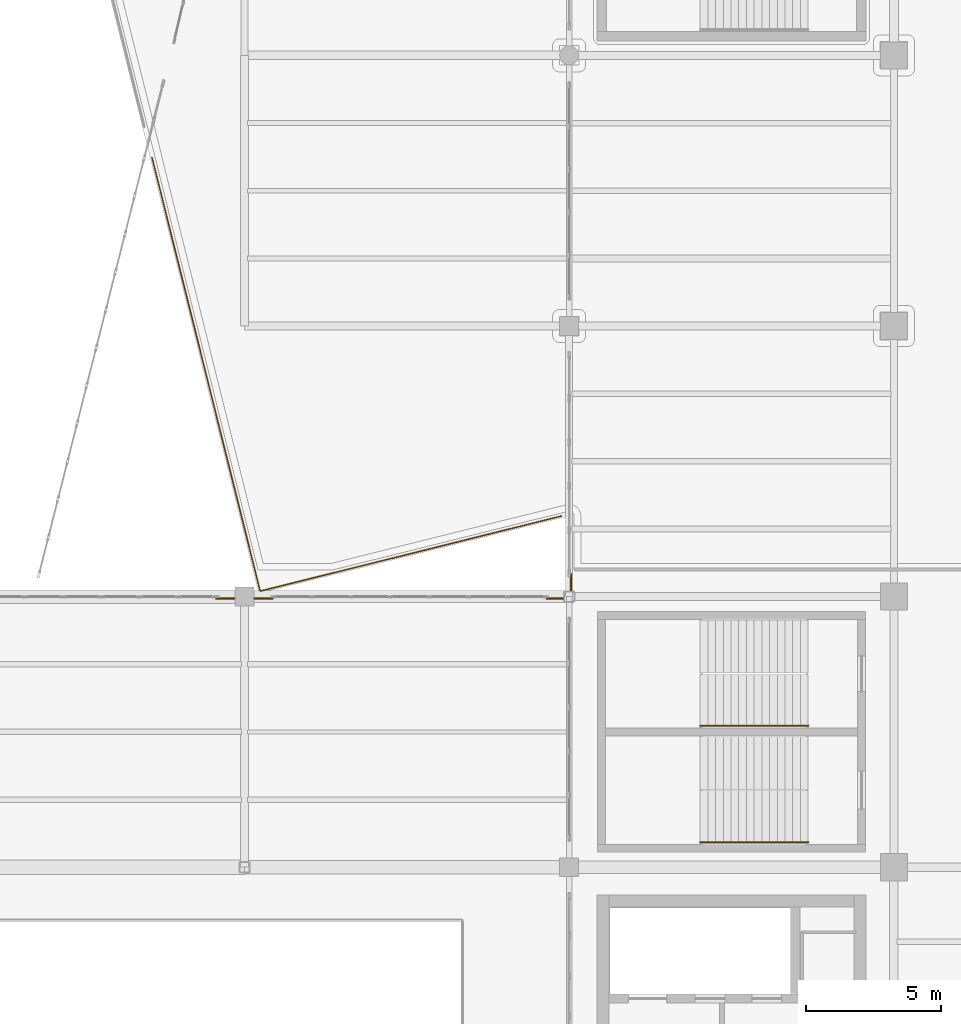
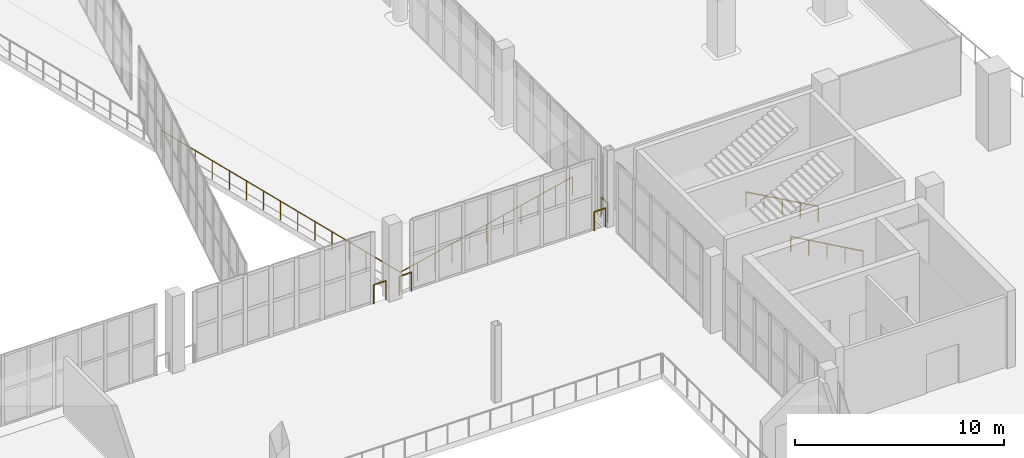
# One storey, part 96 of 108: 7 railings.
"""IFC4 building model written with IfcOpenShell, lengths in metres."""

from ifc_helpers import new_model, si_unit, direction, frame, origin, origin_2d, place, context, subcontext, project, spatial, circle, extrude, material, type_object, element, save


model = new_model("IFC4")

# Units and contexts
model_context = context("Model", 3, precision=1e-05, world=origin(), true_north=direction((0.0, 1.0)))
body_context = subcontext(model_context, "Body", "Model", "MODEL_VIEW")
ifc_project = project(units=[si_unit("LENGTHUNIT", "METRE"), si_unit("AREAUNIT", "SQUARE_METRE"), si_unit("VOLUMEUNIT", "CUBIC_METRE"), si_unit("PLANEANGLEUNIT", "RADIAN"), si_unit("MASSUNIT", "GRAM", prefix="KILO")], contexts=[model_context])

# Site, building, storey
site_placement = place(None, origin())
site = spatial("IfcSite", under=ifc_project, at=site_placement, CompositionType="ELEMENT")
building_placement = place(site_placement, origin())
building = spatial("IfcBuilding", under=site, at=building_placement, Name="Brinegate Civic Arena", CompositionType="ELEMENT")
storey_placement = place(building_placement, frame((0.0, 0.0, 10.199951171875)))
storey = spatial("IfcBuildingStorey", under=building, at=storey_placement, Name="L02", CompositionType="ELEMENT", Elevation=10.199951171875)

# Railings
ifc_material = material(Name="Architectural stainless steel balustrade", Category="steel")
railing_type_1 = type_object("IfcRailingType", Name="RAIL-STAIR-HANDRAIL-900", PredefinedType="HANDRAIL", material=ifc_material)
for number, where, name in (
    (1, (52.840087890625, 42.925048828125, 2.25), "Stair Pitch Handrail ST-08A L02"),
    (2, (52.840087890625, 47.22509765625, 2.25), "Stair Pitch Handrail ST-08B L02"),
):
    element("IfcRailing", number, at=place(storey_placement, frame(where)), inside=storey, type_object=railing_type_1, Name=name, PredefinedType="HANDRAIL", context=body_context, shape_type="SweptSolid", body=[
        extrude(circle(Radius=0.02392578125, at=origin_2d()), frame((0.001220703125, 0.0, 0.875), z_axis=(0.871049806155, 0.0, -0.491194701923), x_axis=(0.0, 1.0, 0.0)), (0.0, 0.0, 1.0), 4.57763671875),
        extrude(circle(Radius=0.02099609375, at=origin_2d()), origin(), (0.0, 0.0, 1.0), 0.849853515625),
        extrude(circle(Radius=0.02099609375, at=origin_2d()), frame((0.99755859375, 0.0, -0.5625)), (0.0, 0.0, 1.0), 0.849853515625),
        extrude(circle(Radius=0.02099609375, at=origin_2d()), frame((1.9951171875, 0.0, -1.125)), (0.0, 0.0, 1.0), 0.849853515625),
        extrude(circle(Radius=0.02099609375, at=origin_2d()), frame((2.992431640625, 0.0, -1.6875)), (0.0, 0.0, 1.0), 0.849853515625),
        extrude(circle(Radius=0.02099609375, at=origin_2d()), frame((3.989990234375, 0.0, -2.25)), (0.0, 0.0, 1.0), 0.849853515625),
    ])
railing_type_2 = type_object("IfcRailingType", Name="RAIL-VOID-BALUSTRADE-1120", PredefinedType="BALUSTRADE", material=ifc_material)
for number, where, name in (
    (3, (34.955078125, 51.929931640625, 0.0), "Deck Edge Balustrade L02-124"),
    (4, (36.3701171875, 51.929931640625, 0.0), "Deck Edge Balustrade L02-125"),
):
    element("IfcRailing", number, at=place(storey_placement, frame(where)), inside=storey, type_object=railing_type_2, Name=name, PredefinedType="BALUSTRADE", context=body_context, shape_type="SweptSolid", body=[
        extrude(circle(Radius=0.02392578125, at=origin_2d()), frame((0.00146484375, 0.0, 1.09619140625), z_axis=(1.0, 0.0, 0.0), x_axis=(0.0, 1.0, 0.0)), (0.0, 0.0, 1.0), 0.671875),
        extrude(circle(Radius=0.02099609375, at=origin_2d()), origin(), (0.0, 0.0, 1.0), 1.070068359375),
        extrude(circle(Radius=0.02099609375, at=origin_2d()), frame((0.6748046875, 0.0, 0.0)), (0.0, 0.0, 1.0), 1.070068359375),
    ])
railing_1_placement = place(storey_placement, frame((47.1669921875, 51.929931640625, 0.0)))
element("IfcRailing", 5, at=railing_1_placement, inside=storey, type_object=railing_type_2, Name="Deck Edge Balustrade L02-126", PredefinedType="BALUSTRADE", context=body_context, shape_type="SweptSolid", body=[
    extrude(circle(Radius=0.02392578125, at=origin_2d()), frame((0.00146484375, 0.0, 1.09619140625), z_axis=(1.0, 0.0, 0.0), x_axis=(0.0, 1.0, 0.0)), (0.0, 0.0, 1.0), 0.610107421875),
    extrude(circle(Radius=0.02099609375, at=origin_2d()), origin(), (0.0, 0.0, 1.0), 1.070068359375),
    extrude(circle(Radius=0.02099609375, at=origin_2d()), frame((0.613037109375, 0.0, 0.0)), (0.0, 0.0, 1.0), 1.070068359375),
])
railing_2_placement = place(storey_placement, frame((48.070068359375, 52.219970703125, 0.0)))
element("IfcRailing", 6, at=railing_2_placement, inside=storey, type_object=railing_type_2, Name="Deck Edge Balustrade L02-127", PredefinedType="BALUSTRADE", context=body_context, shape_type="SweptSolid", body=[
    extrude(circle(Radius=0.02392578125, at=origin_2d()), frame((0.0, 0.00146484375, 1.09619140625), z_axis=(0.0, 1.0, 0.0), x_axis=(-1.0, 0.0, 0.0)), (0.0, 0.0, 1.0), 0.610107421875),
    extrude(circle(Radius=0.02099609375, at=origin_2d()), origin(), (0.0, 0.0, 1.0), 1.070068359375),
    extrude(circle(Radius=0.02099609375, at=origin_2d()), frame((0.0, 0.613037109375, 0.0)), (0.0, 0.0, 1.0), 1.070068359375),
])
railing_3_placement = place(storey_placement, frame((47.719970703125, 54.97998046875, 0.0)))
element("IfcRailing", 7, at=railing_3_placement, inside=storey, type_object=railing_type_2, Name="Deck Edge Balustrade L02-128", PredefinedType="BALUSTRADE", context=body_context, shape_type="SweptSolid", body=[
    extrude(circle(Radius=0.02392578125, at=origin_2d()), frame((-0.00146484375, -0.000244140625, 1.09619140625), z_axis=(-0.970303649743, -0.24189011409, 0.0), x_axis=(0.24189011409, -0.970303649743, 0.0)), (0.0, 0.0, 1.0), 11.477783203125),
    extrude(circle(Radius=0.02392578125, at=origin_2d()), frame((-11.14013671875, -2.775634765625, 1.09619140625), z_axis=(-0.241957917517, 0.970286744293, 0.0), x_axis=(-0.970286744293, -0.241957917517, 0.0)), (0.0, 0.0, 1.0), 16.504638671875),
    extrude(circle(Radius=0.02099609375, at=origin_2d()), origin(), (0.0, 0.0, 1.0), 1.070068359375),
    extrude(circle(Radius=0.02099609375, at=origin_2d()), frame((-1.114013671875, -0.27783203125, 0.0)), (0.0, 0.0, 1.0), 1.070068359375),
    extrude(circle(Radius=0.02099609375, at=origin_2d()), frame((-2.22802734375, -0.555419921875, 0.0)), (0.0, 0.0, 1.0), 1.070068359375),
    extrude(circle(Radius=0.02099609375, at=origin_2d()), frame((-3.342041015625, -0.8330078125, 0.0)), (0.0, 0.0, 1.0), 1.070068359375),
    extrude(circle(Radius=0.02099609375, at=origin_2d()), frame((-4.4560546875, -1.11083984375, 0.0)), (0.0, 0.0, 1.0), 1.070068359375),
    extrude(circle(Radius=0.02099609375, at=origin_2d()), frame((-5.56982421875, -1.388671875, 0.0)), (0.0, 0.0, 1.0), 1.070068359375),
    extrude(circle(Radius=0.02099609375, at=origin_2d()), frame((-6.683837890625, -1.666259765625, 0.0)), (0.0, 0.0, 1.0), 1.070068359375),
    extrude(circle(Radius=0.02099609375, at=origin_2d()), frame((-7.7978515625, -1.94384765625, 0.0)), (0.0, 0.0, 1.0), 1.070068359375),
    extrude(circle(Radius=0.02099609375, at=origin_2d()), frame((-8.911865234375, -2.2216796875, 0.0)), (0.0, 0.0, 1.0), 1.070068359375),
    extrude(circle(Radius=0.02099609375, at=origin_2d()), frame((-10.02587890625, -2.49951171875, 0.0)), (0.0, 0.0, 1.0), 1.070068359375),
    extrude(circle(Radius=0.02099609375, at=origin_2d()), frame((-11.139892578125, -2.777099609375, 0.0)), (0.0, 0.0, 1.0), 1.070068359375),
    extrude(circle(Radius=0.02099609375, at=origin_2d()), frame((-11.42529296875, -1.633056640625, 0.0)), (0.0, 0.0, 1.0), 1.070068359375),
    extrude(circle(Radius=0.02099609375, at=origin_2d()), frame((-11.71044921875, -0.489013671875, 0.0)), (0.0, 0.0, 1.0), 1.070068359375),
    extrude(circle(Radius=0.02099609375, at=origin_2d()), frame((-11.995849609375, 0.655029296875, 0.0)), (0.0, 0.0, 1.0), 1.070068359375),
    extrude(circle(Radius=0.02099609375, at=origin_2d()), frame((-12.281005859375, 1.79931640625, 0.0)), (0.0, 0.0, 1.0), 1.070068359375),
    extrude(circle(Radius=0.02099609375, at=origin_2d()), frame((-12.56640625, 2.943359375, 0.0)), (0.0, 0.0, 1.0), 1.070068359375),
    extrude(circle(Radius=0.02099609375, at=origin_2d()), frame((-12.8515625, 4.08740234375, 0.0)), (0.0, 0.0, 1.0), 1.070068359375),
    extrude(circle(Radius=0.02099609375, at=origin_2d()), frame((-13.136962890625, 5.2314453125, 0.0)), (0.0, 0.0, 1.0), 1.070068359375),
    extrude(circle(Radius=0.02099609375, at=origin_2d()), frame((-13.42236328125, 6.37548828125, 0.0)), (0.0, 0.0, 1.0), 1.070068359375),
    extrude(circle(Radius=0.02099609375, at=origin_2d()), frame((-13.70751953125, 7.51953125, 0.0)), (0.0, 0.0, 1.0), 1.070068359375),
    extrude(circle(Radius=0.02099609375, at=origin_2d()), frame((-13.992919921875, 8.66357421875, 0.0)), (0.0, 0.0, 1.0), 1.070068359375),
    extrude(circle(Radius=0.02099609375, at=origin_2d()), frame((-14.278076171875, 9.807861328125, 0.0)), (0.0, 0.0, 1.0), 1.070068359375),
    extrude(circle(Radius=0.02099609375, at=origin_2d()), frame((-14.5634765625, 10.951904296875, 0.0)), (0.0, 0.0, 1.0), 1.070068359375),
    extrude(circle(Radius=0.02099609375, at=origin_2d()), frame((-14.8486328125, 12.095947265625, 0.0)), (0.0, 0.0, 1.0), 1.070068359375),
    extrude(circle(Radius=0.02099609375, at=origin_2d()), frame((-15.134033203125, 13.239990234375, 0.0)), (0.0, 0.0, 1.0), 1.070068359375),
])

save(model, "model.ifc")
